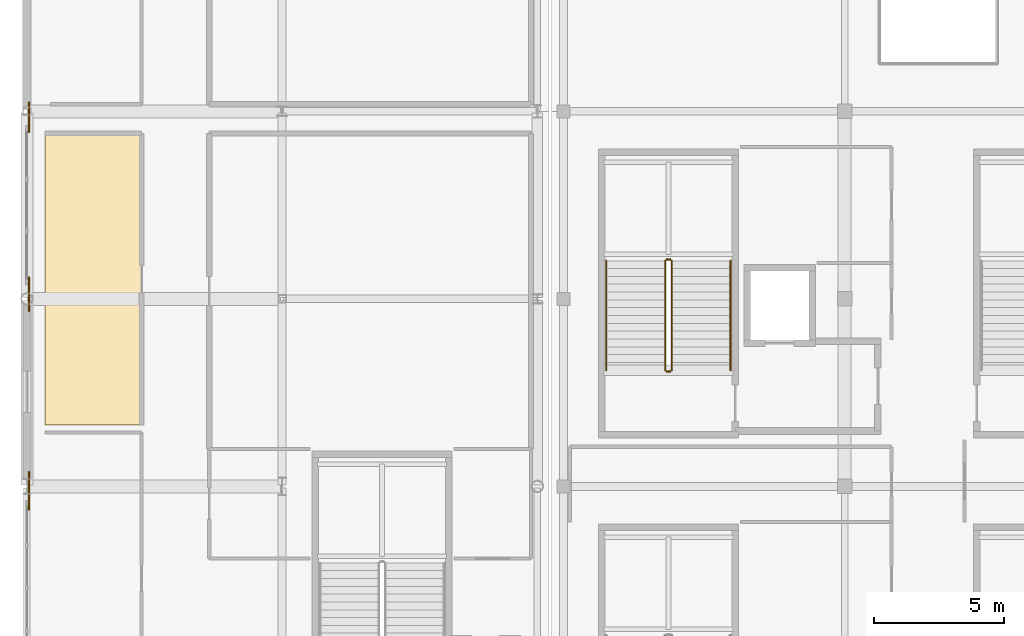
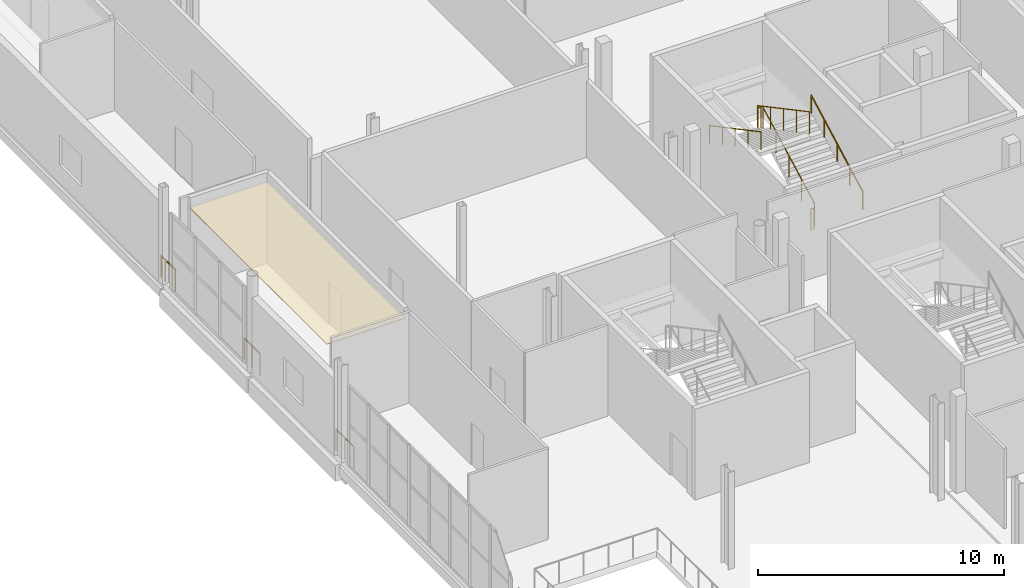
# One storey, part 106 of 129: 10 railings, 1 covering.
"""IFC4 building model written with IfcOpenShell, lengths in metres."""

from ifc_helpers import new_model, si_unit, direction, frame, origin, origin_2d, place, context, subcontext, project, spatial, polyline, circle, outline, extrude, material, layer, layer_set, type_object, element, save


model = new_model("IFC4")

# Units and contexts
model_context = context("Model", 3, precision=1e-05, world=origin(), true_north=direction((0.0, 1.0)))
body_context = subcontext(model_context, "Body", "Model", "MODEL_VIEW")
ifc_project = project(units=[si_unit("LENGTHUNIT", "METRE"), si_unit("AREAUNIT", "SQUARE_METRE"), si_unit("VOLUMEUNIT", "CUBIC_METRE"), si_unit("PLANEANGLEUNIT", "RADIAN"), si_unit("MASSUNIT", "GRAM", prefix="KILO")], contexts=[model_context])

# Site, building, storey
site_placement = place(None, origin())
site = spatial("IfcSite", under=ifc_project, at=site_placement, CompositionType="ELEMENT")
building_placement = place(site_placement, origin())
building = spatial("IfcBuilding", under=site, at=building_placement, Name="Koshinbarg Plaza Stadium", CompositionType="ELEMENT")
storey_placement = place(building_placement, frame((0.0, 0.0, 5.39990234375)))
storey = spatial("IfcBuildingStorey", under=building, at=storey_placement, Name="L01", CompositionType="ELEMENT", Elevation=5.39990234375)

# Covering
ifc_material_1 = material(Name="Perforated gypsum acoustic ceiling board")
ifc_layer = layer(ifc_material_1, 0.030029296875)
ifc_layer_set = layer_set([ifc_layer], Name="Perforated gypsum acoustic ceiling board")
covering_type = type_object("IfcCoveringType", Name="COV-CEIL-01", PredefinedType="CEILING", material=ifc_layer_set)
covering_placement = place(storey_placement, frame((0.0, 0.0, 3.9501953125)))
element("IfcCovering", 1, at=covering_placement, inside=storey, type_object=covering_type, Name="L01 Ticketing Operations Room acoustic ceiling 016", PredefinedType="CEILING", context=body_context, shape_type="SweptSolid", body=[
    extrude(outline(polyline([(4.699951171875, 99.864990234375), (8.39990234375, 99.864990234375), (8.39990234375, 111.050048828125), (4.699951171875, 111.050048828125), (4.699951171875, 99.864990234375)])), origin(), (0.0, 0.0, 1.0), 0.02978515625),
])

# Railings
ifc_material_2 = material(Name="Toughened laminated glass and stainless steel sightline balustrade", Category="steel")
railing_type_1 = type_object("IfcRailingType", Name="RL-BOWL-1100", PredefinedType="BALUSTRADE", material=ifc_material_2)
railing_1_placement = place(storey_placement, frame((4.080078125, 96.611083984375, 0.0)))
element("IfcRailing", 2, at=railing_1_placement, inside=storey, type_object=railing_type_1, Name="L01 deck edge safety balustrade 0091", PredefinedType="BALUSTRADE", context=body_context, shape_type="SweptSolid", body=[
    extrude(circle(Radius=0.02392578125, at=origin_2d()), frame((0.0, 0.0, 1.076171875), z_axis=(0.0, 1.0, 0.0), x_axis=(-1.0, 0.0, 0.0)), (0.0, 0.0, 1.0), 1.44580078125),
    extrude(circle(Radius=0.02099609375, at=origin_2d()), origin(), (0.0, 0.0, 1.0), 1.052001953125),
    extrude(circle(Radius=0.02099609375, at=origin_2d()), frame((0.0, 0.722900390625, 0.0)), (0.0, 0.0, 1.0), 1.052001953125),
    extrude(circle(Radius=0.02099609375, at=origin_2d()), frame((0.0, 1.44580078125, 0.0)), (0.0, 0.0, 1.0), 1.052001953125),
])
railing_2_placement = place(storey_placement, frame((4.080078125, 104.230224609375, 0.0)))
element("IfcRailing", 3, at=railing_2_placement, inside=storey, type_object=railing_type_1, Name="L01 deck edge safety balustrade 0092", PredefinedType="BALUSTRADE", context=body_context, shape_type="SweptSolid", body=[
    extrude(circle(Radius=0.02392578125, at=origin_2d()), frame((0.0, 0.0, 1.076171875), z_axis=(0.0, 1.0, 0.0), x_axis=(-1.0, 0.0, 0.0)), (0.0, 0.0, 1.0), 1.29638671875),
    extrude(circle(Radius=0.02099609375, at=origin_2d()), origin(), (0.0, 0.0, 1.0), 1.052001953125),
    extrude(circle(Radius=0.02099609375, at=origin_2d()), frame((0.0, 0.648193359375, 0.0)), (0.0, 0.0, 1.0), 1.052001953125),
    extrude(circle(Radius=0.02099609375, at=origin_2d()), frame((0.0, 1.29638671875, 0.0)), (0.0, 0.0, 1.0), 1.052001953125),
])
railing_3_placement = place(storey_placement, frame((4.080078125, 111.102294921875, 0.0)))
element("IfcRailing", 4, at=railing_3_placement, inside=storey, type_object=railing_type_1, Name="L01 deck edge safety balustrade 0093", PredefinedType="BALUSTRADE", context=body_context, shape_type="SweptSolid", body=[
    extrude(circle(Radius=0.02392578125, at=origin_2d()), frame((0.0, 0.0, 1.076171875), z_axis=(0.0, 1.0, 0.0), x_axis=(-1.0, 0.0, 0.0)), (0.0, 0.0, 1.0), 0.797607421875),
    extrude(circle(Radius=0.02099609375, at=origin_2d()), origin(), (0.0, 0.0, 1.0), 1.052001953125),
    extrude(circle(Radius=0.02099609375, at=origin_2d()), frame((0.0, 0.797607421875, 0.0)), (0.0, 0.0, 1.0), 1.052001953125),
])
railing_4_placement = place(storey_placement, frame((4.080078125, 111.89990234375, 0.0)))
element("IfcRailing", 5, at=railing_4_placement, inside=storey, type_object=railing_type_1, Name="L01 deck edge safety balustrade 0094", PredefinedType="BALUSTRADE", context=body_context, shape_type="SweptSolid", body=[
    extrude(circle(Radius=0.02392578125, at=origin_2d()), frame((0.0, 0.0, 1.076171875), z_axis=(0.0, 1.0, 0.0), x_axis=(-1.0, 0.0, 0.0)), (0.0, 0.0, 1.0), 0.349609375),
    extrude(circle(Radius=0.02099609375, at=origin_2d()), origin(), (0.0, 0.0, 1.0), 1.052001953125),
    extrude(circle(Radius=0.02099609375, at=origin_2d()), frame((0.0, 0.349609375, 0.0)), (0.0, 0.0, 1.0), 1.052001953125),
])
ifc_material_3 = material(Name="Galvanized painted steel guardrail", Category="steel")
railing_type_2 = type_object("IfcRailingType", Name="RL-GUARD-1100", PredefinedType="GUARDRAIL", material=ifc_material_3)
railing_5_placement = place(storey_placement, frame((28.760009765625, 101.9599609375, 0.16015625)))
element("IfcRailing", 6, at=railing_5_placement, inside=storey, type_object=railing_type_2, Name="L01 C06 stair guard 1", PredefinedType="GUARDRAIL", context=body_context, shape_type="SweptSolid", body=[
    extrude(circle(Radius=0.02392578125, at=origin_2d()), frame((0.0, 0.0, 1.076171875), z_axis=(0.0, 0.882351521365, 0.470590897432), x_axis=(-1.0, 0.0, 0.0)), (0.0, 0.0, 1.0), 4.760009765625),
    extrude(circle(Radius=0.02099609375, at=origin_2d()), origin(), (0.0, 0.0, 1.0), 1.052001953125),
    extrude(circle(Radius=0.02099609375, at=origin_2d()), frame((0.0, 1.050048828125, 0.56005859375)), (0.0, 0.0, 1.0), 1.052001953125),
    extrude(circle(Radius=0.02099609375, at=origin_2d()), frame((0.0, 2.10009765625, 1.1201171875)), (0.0, 0.0, 1.0), 1.052001953125),
    extrude(circle(Radius=0.02099609375, at=origin_2d()), frame((0.0, 3.14990234375, 1.679931640625)), (0.0, 0.0, 1.0), 1.052001953125),
    extrude(circle(Radius=0.02099609375, at=origin_2d()), frame((0.0, 4.199951171875, 2.239990234375)), (0.0, 0.0, 1.0), 1.052001953125),
])
railing_6_placement = place(storey_placement, frame((28.7099609375, 106.2099609375, 2.400146484375)))
element("IfcRailing", 7, at=railing_6_placement, inside=storey, type_object=railing_type_2, Name="L01 C06 stair guard 2", PredefinedType="GUARDRAIL", context=body_context, shape_type="SweptSolid", body=[
    extrude(circle(Radius=0.02392578125, at=origin_2d()), frame((0.0, 0.0, 1.076171875), z_axis=(-1.0, 0.0, 0.0), x_axis=(0.0, -1.0, 0.0)), (0.0, 0.0, 1.0), 0.14990234375),
    extrude(circle(Radius=0.02099609375, at=origin_2d()), origin(), (0.0, 0.0, 1.0), 1.052001953125),
    extrude(circle(Radius=0.02099609375, at=origin_2d()), frame((-0.14990234375, 0.0, 0.0)), (0.0, 0.0, 1.0), 1.052001953125),
])
railing_7_placement = place(storey_placement, frame((28.510009765625, 106.159912109375, 2.56005859375)))
element("IfcRailing", 8, at=railing_7_placement, inside=storey, type_object=railing_type_2, Name="L01 C06 stair guard 3", PredefinedType="GUARDRAIL", context=body_context, shape_type="SweptSolid", body=[
    extrude(circle(Radius=0.02392578125, at=origin_2d()), frame((0.0, 0.0, 1.076171875), z_axis=(0.0, -0.882351521365, 0.470590897432), x_axis=(1.0, 0.0, 0.0)), (0.0, 0.0, 1.0), 4.760009765625),
    extrude(circle(Radius=0.02099609375, at=origin_2d()), origin(), (0.0, 0.0, 1.0), 1.052001953125),
    extrude(circle(Radius=0.02099609375, at=origin_2d()), frame((0.0, -1.050048828125, 0.56005859375)), (0.0, 0.0, 1.0), 1.052001953125),
    extrude(circle(Radius=0.02099609375, at=origin_2d()), frame((0.0, -2.10009765625, 1.1201171875)), (0.0, 0.0, 1.0), 1.052001953125),
    extrude(circle(Radius=0.02099609375, at=origin_2d()), frame((0.0, -3.14990234375, 1.679931640625)), (0.0, 0.0, 1.0), 1.052001953125),
    extrude(circle(Radius=0.02099609375, at=origin_2d()), frame((0.0, -4.199951171875, 2.239990234375)), (0.0, 0.0, 1.0), 1.052001953125),
])
railing_8_placement = place(storey_placement, frame((28.7099609375, 101.909912109375, 0.0)))
element("IfcRailing", 9, at=railing_8_placement, inside=storey, type_object=railing_type_2, Name="L01 C06 stair guard 4", PredefinedType="GUARDRAIL", context=body_context, shape_type="SweptSolid", body=[
    extrude(circle(Radius=0.02392578125, at=origin_2d()), frame((0.0, 0.0, 1.076171875), z_axis=(-1.0, 0.0, 0.0), x_axis=(0.0, -1.0, 0.0)), (0.0, 0.0, 1.0), 0.14990234375),
    extrude(circle(Radius=0.02099609375, at=origin_2d()), origin(), (0.0, 0.0, 1.0), 1.052001953125),
    extrude(circle(Radius=0.02099609375, at=origin_2d()), frame((-0.14990234375, 0.0, 0.0)), (0.0, 0.0, 1.0), 1.052001953125),
])
ifc_material_4 = material(Name="Brushed stainless steel handrail", Category="steel")
railing_type_3 = type_object("IfcRailingType", Name="RL-HAND-900", PredefinedType="HANDRAIL", material=ifc_material_4)
railing_9_placement = place(storey_placement, frame((31.02001953125, 101.9599609375, 0.16015625)))
element("IfcRailing", 10, at=railing_9_placement, inside=storey, type_object=railing_type_3, Name="L01 C06 stair handrail 1", PredefinedType="HANDRAIL", context=body_context, shape_type="SweptSolid", body=[
    extrude(circle(Radius=0.02392578125, at=origin_2d()), frame((0.0, 0.0, 0.8759765625), z_axis=(0.0, 0.882351521365, 0.470590897432), x_axis=(-1.0, 0.0, 0.0)), (0.0, 0.0, 1.0), 4.760009765625),
    extrude(circle(Radius=0.02099609375, at=origin_2d()), origin(), (0.0, 0.0, 1.0), 0.851806640625),
    extrude(circle(Radius=0.02099609375, at=origin_2d()), frame((0.0, 1.050048828125, 0.56005859375)), (0.0, 0.0, 1.0), 0.851806640625),
    extrude(circle(Radius=0.02099609375, at=origin_2d()), frame((0.0, 2.10009765625, 1.1201171875)), (0.0, 0.0, 1.0), 0.851806640625),
    extrude(circle(Radius=0.02099609375, at=origin_2d()), frame((0.0, 3.14990234375, 1.679931640625)), (0.0, 0.0, 1.0), 0.851806640625),
    extrude(circle(Radius=0.02099609375, at=origin_2d()), frame((0.0, 4.199951171875, 2.239990234375)), (0.0, 0.0, 1.0), 0.851806640625),
])
railing_10_placement = place(storey_placement, frame((26.25, 106.159912109375, 2.56005859375)))
element("IfcRailing", 11, at=railing_10_placement, inside=storey, type_object=railing_type_3, Name="L01 C06 stair handrail 2", PredefinedType="HANDRAIL", context=body_context, shape_type="SweptSolid", body=[
    extrude(circle(Radius=0.02392578125, at=origin_2d()), frame((0.0, 0.0, 0.8759765625), z_axis=(0.0, -0.882351521365, 0.470590897432), x_axis=(1.0, 0.0, 0.0)), (0.0, 0.0, 1.0), 4.760009765625),
    extrude(circle(Radius=0.02099609375, at=origin_2d()), origin(), (0.0, 0.0, 1.0), 0.851806640625),
    extrude(circle(Radius=0.02099609375, at=origin_2d()), frame((0.0, -1.050048828125, 0.56005859375)), (0.0, 0.0, 1.0), 0.851806640625),
    extrude(circle(Radius=0.02099609375, at=origin_2d()), frame((0.0, -2.10009765625, 1.1201171875)), (0.0, 0.0, 1.0), 0.851806640625),
    extrude(circle(Radius=0.02099609375, at=origin_2d()), frame((0.0, -3.14990234375, 1.679931640625)), (0.0, 0.0, 1.0), 0.851806640625),
    extrude(circle(Radius=0.02099609375, at=origin_2d()), frame((0.0, -4.199951171875, 2.239990234375)), (0.0, 0.0, 1.0), 0.851806640625),
])

save(model, "model.ifc")
